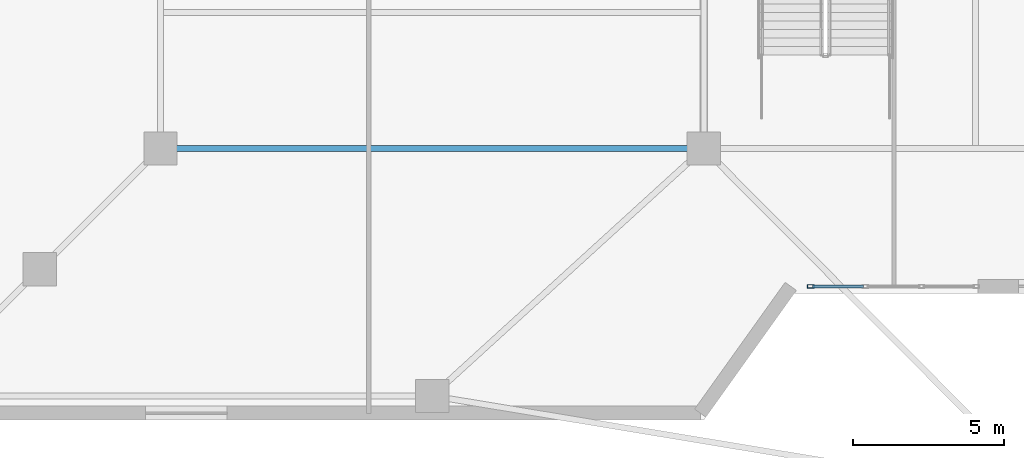
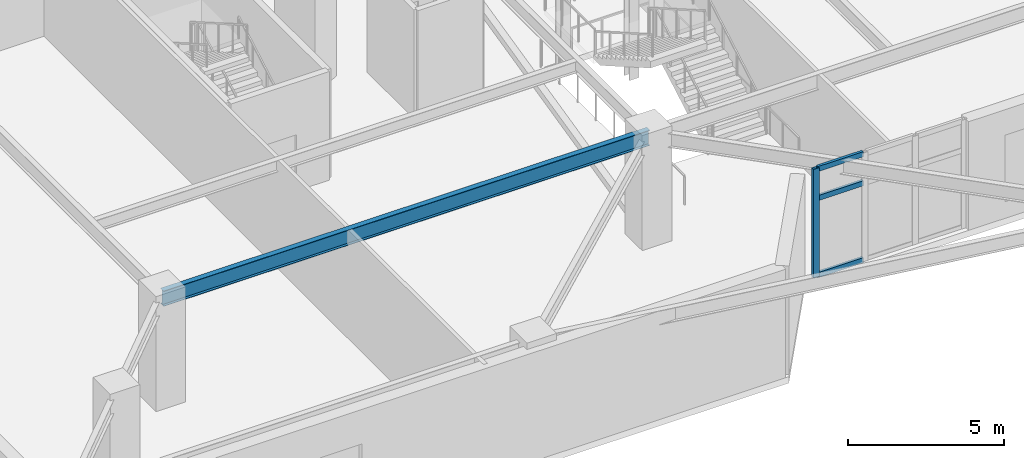
# One storey, part 4 of 29: 4 members, 1 beam, 1 element without a shape of its own.
"""IFC4 building model written with IfcOpenShell, lengths in metres."""

from ifc_helpers import new_model, si_unit, direction, frame, origin, origin_2d, place, context, subcontext, project, spatial, hollow_rectangle, i_section, extrude, source, transform, mapped, material, layer, layer_set, material_profile, profile_set, type_object, element, aggregate, save


model = new_model("IFC4")

# Units and contexts
model_context = context("Model", 3, precision=1e-05, world=origin(), true_north=direction((0.0, 1.0)))
body_context = subcontext(model_context, "Body", "Model", "MODEL_VIEW")
ifc_project = project(units=[si_unit("LENGTHUNIT", "METRE"), si_unit("AREAUNIT", "SQUARE_METRE"), si_unit("VOLUMEUNIT", "CUBIC_METRE"), si_unit("PLANEANGLEUNIT", "RADIAN"), si_unit("MASSUNIT", "GRAM", prefix="KILO")], contexts=[model_context])

# Site, building, storey
site_placement = place(None, origin())
site = spatial("IfcSite", under=ifc_project, at=site_placement, CompositionType="ELEMENT")
building_placement = place(site_placement, origin())
building = spatial("IfcBuilding", under=site, at=building_placement, Name="Liaohun Quay Tower", CompositionType="ELEMENT")
storey_placement = place(building_placement, frame((0.0, 0.0, 5.39990234375)))
storey = spatial("IfcBuildingStorey", under=building, at=storey_placement, Name="L02", CompositionType="ELEMENT", Elevation=5.39990234375)

# Beam
ifc_material_1 = material(Name="Steel Q355D", Category="steel")
ifc_material_profile_1 = material_profile(ifc_material_1, i_section(OverallWidth=0.199951171875, OverallDepth=0.60009765625, WebThickness=0.010986328125, FlangeThickness=0.01708984375, at=origin_2d()), Name="HN600x200x11x17")
ifc_profile_set_1 = profile_set([ifc_material_profile_1], Name="Steel Q355D")
beam_type = type_object("IfcBeamType", Name="BM-POD-G1", PredefinedType="BEAM", material=ifc_profile_set_1)
shared_shape_1 = source(origin(), body_context, "Body", "SweptSolid", [
    extrude(i_section(OverallWidth=0.199951171875, OverallDepth=0.60009765625, WebThickness=0.010986328125, FlangeThickness=0.01708984375, at=origin_2d()), origin(), (0.0, 0.0, 1.0), 18.0),
])
beam_placement = place(storey_placement, frame((24.0, 24.0, 3.9501953125), z_axis=(1.0, 0.0, 0.0), x_axis=(0.0, 1.0, 0.0)))
element("IfcBeam", 1, at=beam_placement, inside=storey, type_object=beam_type, Name="L02 Primary Grid Girder PG01-PG02", PredefinedType="BEAM", context=body_context, shape_type="MappedRepresentation", body=[
    mapped(shared_shape_1, transform((0.0, 0.0, 0.0), x_axis=(1.0, 0.0, 0.0), y_axis=(0.0, 1.0, 0.0), z_axis=(0.0, 0.0, 1.0), scale=1.0)),
])

# Curtain wall, members
ifc_material_2 = material(Name="Thermally broken waterfront lobby unitised curtain wall")
ifc_layer = layer(ifc_material_2, 0.219970703125, Name="Thermally broken waterfront lobby unitised curtain wall")
ifc_layer_set = layer_set([ifc_layer], Name="Thermally broken waterfront lobby unitised curtain wall")
curtain_wall_type = type_object("IfcCurtainWallType", Name="CW-POD-PROM", PredefinedType="NOTDEFINED", material=ifc_layer_set)
curtain_wall_placement = place(storey_placement, origin())
curtain_wall = element("IfcCurtainWall", 2, at=curtain_wall_placement, inside=storey, type_object=curtain_wall_type, Name="L02 Waterfront Lobby Curtain Wall CW1-1", PredefinedType="NOTDEFINED")
ifc_material_3 = material(Name="Anodised aluminium 6063-T6", Category="aluminium")
ifc_material_profile_2 = material_profile(ifc_material_3, hollow_rectangle(XDim=0.10009765625, YDim=0.199951171875, WallThickness=0.006103515625, at=origin_2d()), Name="RHS200x100x6")
ifc_profile_set_2 = profile_set([ifc_material_profile_2], Name="Anodised aluminium 6063-T6")
member_type_1 = type_object("IfcMemberType", Name="MEM-CWT-LOB", PredefinedType="USERDEFINED", material=ifc_profile_set_2)
shared_shape_2 = source(origin(), body_context, "Body", "SweptSolid", [
    extrude(hollow_rectangle(XDim=0.10009765625, YDim=0.199951171875, WallThickness=0.006103515625, at=origin_2d()), origin(), (0.0, 0.0, 1.0), 1.6865234375),
])
member_1_placement = place(storey_placement, frame((45.60205078125, 19.429931640625, 0.050048828125), z_axis=(1.0, 0.0, 0.0), x_axis=(0.0, 1.0, 0.0)))
member_1 = element("IfcMember", 3, at=member_1_placement, type_object=member_type_1, Name="CW1 transom 1.1", ObjectType="TRANSOM", PredefinedType="USERDEFINED", context=body_context, shape_type="MappedRepresentation", body=[
    mapped(shared_shape_2, transform((0.0, 0.0, 0.0), x_axis=(1.0, 0.0, 0.0), y_axis=(0.0, 1.0, 0.0), z_axis=(0.0, 0.0, 1.0), scale=1.0)),
])
member_2_placement = place(storey_placement, frame((45.60205078125, 19.429931640625, 3.06005859375), z_axis=(1.0, 0.0, 0.0), x_axis=(0.0, 1.0, 0.0)))
member_2 = element("IfcMember", 4, at=member_2_placement, type_object=member_type_1, Name="CW1 transom 1.2", ObjectType="TRANSOM", PredefinedType="USERDEFINED", context=body_context, shape_type="MappedRepresentation", body=[
    mapped(shared_shape_2, transform((0.0, 0.0, 0.0), x_axis=(1.0, 0.0, 0.0), y_axis=(0.0, 1.0, 0.0), z_axis=(0.0, 0.0, 1.0), scale=1.0)),
])
member_3_placement = place(storey_placement, frame((45.60205078125, 19.429931640625, 4.2001953125), z_axis=(1.0, 0.0, 0.0), x_axis=(0.0, 1.0, 0.0)))
member_3 = element("IfcMember", 5, at=member_3_placement, type_object=member_type_1, Name="CW1 transom 1.3", ObjectType="TRANSOM", PredefinedType="USERDEFINED", context=body_context, shape_type="MappedRepresentation", body=[
    mapped(shared_shape_2, transform((0.0, 0.0, 0.0), x_axis=(1.0, 0.0, 0.0), y_axis=(0.0, 1.0, 0.0), z_axis=(0.0, 0.0, 1.0), scale=1.0)),
])
ifc_material_profile_3 = material_profile(ifc_material_3, hollow_rectangle(XDim=0.1201171875, YDim=0.219970703125, WallThickness=0.008056640625, at=origin_2d()), Name="RHS220x120x8")
ifc_profile_set_3 = profile_set([ifc_material_profile_3], Name="Anodised aluminium 6063-T6")
member_type_2 = type_object("IfcMemberType", Name="MEM-CWM-LOB", PredefinedType="MULLION", material=ifc_profile_set_3)
shared_shape_3 = source(origin(), body_context, "Body", "SweptSolid", [
    extrude(hollow_rectangle(XDim=0.1201171875, YDim=0.219970703125, WallThickness=0.008056640625, at=origin_2d()), origin(), (0.0, 0.0, 1.0), 4.25),
])
member_4_placement = place(storey_placement, frame((45.5419921875, 19.429931640625, 0.0), z_axis=(0.0, 0.0, 1.0), x_axis=(0.0, 1.0, 0.0)))
member_4 = element("IfcMember", 6, at=member_4_placement, type_object=member_type_2, Name="CW1 mullion 1", PredefinedType="MULLION", context=body_context, shape_type="MappedRepresentation", body=[
    mapped(shared_shape_3, transform((0.0, 0.0, 0.0), x_axis=(1.0, 0.0, 0.0), y_axis=(0.0, 1.0, 0.0), z_axis=(0.0, 0.0, 1.0), scale=1.0)),
])
aggregate(curtain_wall, [member_4, member_1, member_2, member_3])

save(model, "model.ifc")
